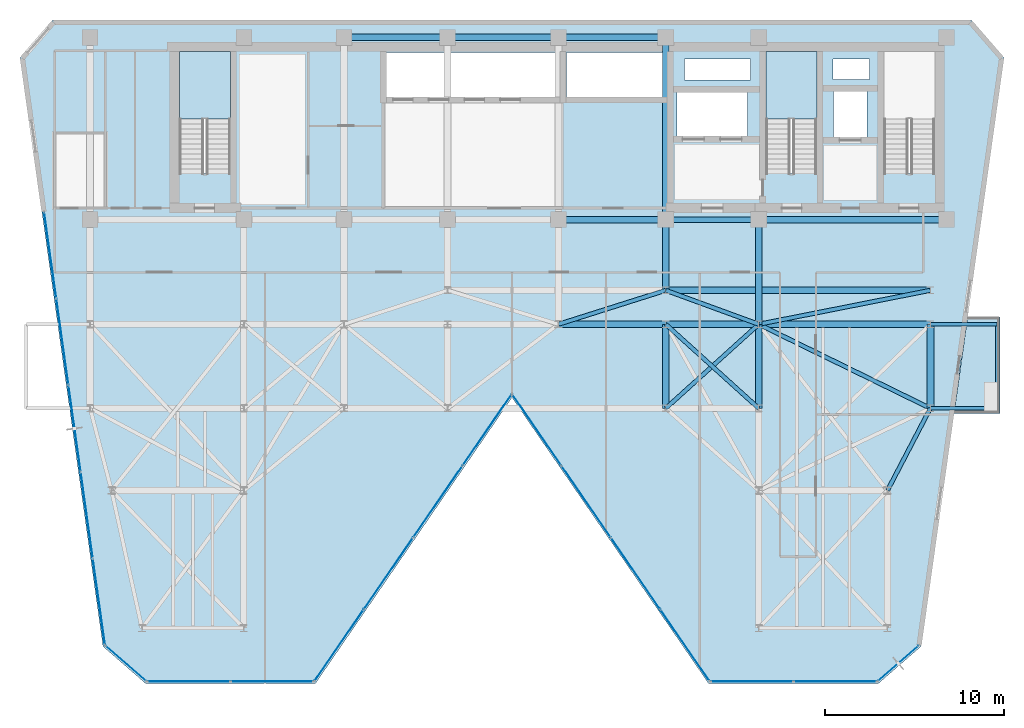
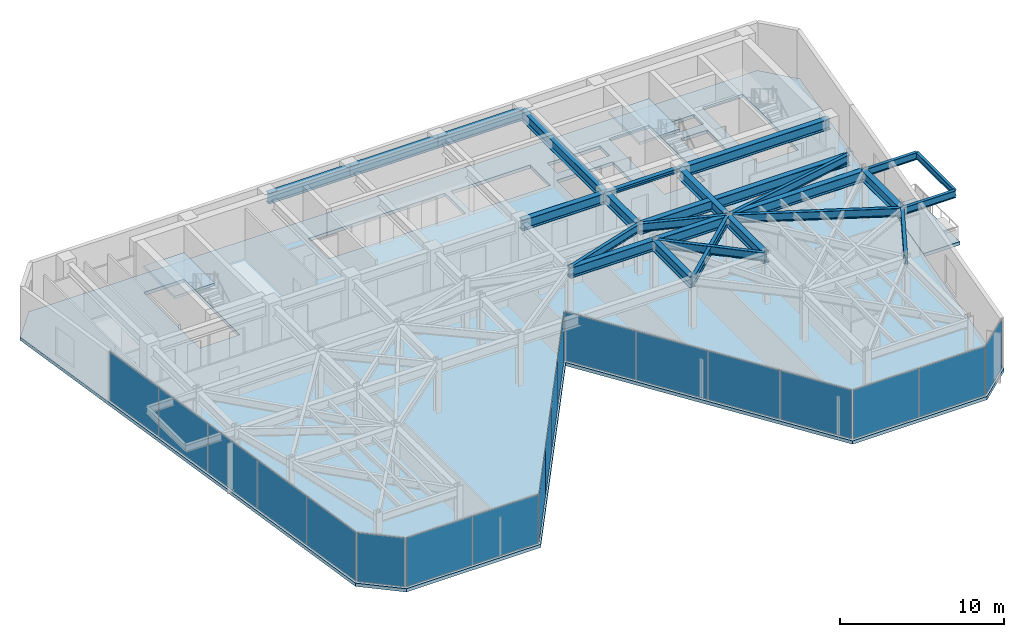
# One storey, part 21 of 27: 26 beams, 19 plates, 4 slabs, 9 elements without a shape of their own.
"""IFC4 building model written with IfcOpenShell, lengths in metres."""

from ifc_helpers import new_model, si_unit, direction, frame, origin, origin_2d, place, context, subcontext, project, spatial, polyline, rectangle, i_section, outline, extrude, material, layer, layer_set, material_profile, profile_set, type_object, element, aggregate, save


model = new_model("IFC4")

# Units and contexts
model_context = context("Model", 3, precision=1e-05, world=origin(), true_north=direction((0.0, 1.0)))
body_context = subcontext(model_context, "Body", "Model", "MODEL_VIEW")
ifc_project = project(units=[si_unit("LENGTHUNIT", "METRE"), si_unit("AREAUNIT", "SQUARE_METRE"), si_unit("VOLUMEUNIT", "CUBIC_METRE"), si_unit("PLANEANGLEUNIT", "RADIAN"), si_unit("MASSUNIT", "GRAM", prefix="KILO")], contexts=[model_context])

# Site, building, storey
site_placement = place(None, origin())
site = spatial("IfcSite", under=ifc_project, at=site_placement, CompositionType="ELEMENT")
building_placement = place(site_placement, origin())
building = spatial("IfcBuilding", under=site, at=building_placement, Name="Kravanh Interchange Tower", CompositionType="ELEMENT")
storey_placement = place(building_placement, frame((0.0, 0.0, 196.5)))
storey = spatial("IfcBuildingStorey", under=building, at=storey_placement, Name="L47", CompositionType="ELEMENT", Elevation=196.5)

# Beams
ifc_material_1 = material(Name="Structural Steel S355", Category="steel")
ifc_material_profile_1 = material_profile(ifc_material_1, i_section(OverallWidth=0.381103515625, OverallDepth=0.77294921875, WebThickness=0.0166015625, FlangeThickness=0.027099609375, FilletRadius=0.02490234375, at=origin_2d()), Name="W30X173")
ifc_profile_set_1 = profile_set([ifc_material_profile_1], Name="Structural Steel S355")
beam_type_1 = type_object("IfcBeamType", Name="Floor Beam W30X173 Structural Steel S355", PredefinedType="BEAM", material=ifc_profile_set_1)
beam_1_placement = place(storey_placement, frame((66.5, 37.35009765625, 3.368408203125), z_axis=(-1.0, 0.0, 0.0), x_axis=(0.0, -1.0, 0.0)))
element("IfcBeam", 1, at=beam_1_placement, inside=storey, type_object=beam_type_1, Name="L47 Primary Floor Girder 5", PredefinedType="BEAM", context=body_context, shape_type="SweptSolid", body=[
    extrude(i_section(OverallWidth=0.381103515625, OverallDepth=0.77294921875, WebThickness=0.0166015625, FlangeThickness=0.027099609375, FilletRadius=0.02490234375, at=origin_2d()), origin(), (0.0, 0.0, 1.0), 10.5),
])
beam_2_placement = place(storey_placement, frame((56.0, 37.35009765625, 3.368408203125), z_axis=(0.0, -1.0, 0.0), x_axis=(1.0, 0.0, 0.0)))
element("IfcBeam", 2, at=beam_2_placement, inside=storey, type_object=beam_type_1, Name="L47 Primary Floor Girder 7", PredefinedType="BEAM", context=body_context, shape_type="SweptSolid", body=[
    extrude(i_section(OverallWidth=0.381103515625, OverallDepth=0.77294921875, WebThickness=0.0166015625, FlangeThickness=0.027099609375, FilletRadius=0.02490234375, at=origin_2d()), origin(), (0.0, 0.0, 1.0), 5.85009765625),
])
beam_3_placement = place(storey_placement, frame((50.800048828125, 47.550048828125, 3.368408203125), z_axis=(-1.0, 0.0, 0.0), x_axis=(0.0, -1.0, 0.0)))
element("IfcBeam", 3, at=beam_3_placement, inside=storey, type_object=beam_type_1, Name="L47 Primary Floor Girder 8", PredefinedType="BEAM", context=body_context, shape_type="SweptSolid", body=[
    extrude(i_section(OverallWidth=0.381103515625, OverallDepth=0.77294921875, WebThickness=0.0166015625, FlangeThickness=0.027099609375, FilletRadius=0.02490234375, at=origin_2d()), origin(), (0.0, 0.0, 1.0), 6.0),
])
beam_4_placement = place(storey_placement, frame((50.800048828125, 47.550048828125, 3.368408203125), z_axis=(0.0, -1.0, 0.0), x_axis=(1.0, 0.0, 0.0)))
element("IfcBeam", 4, at=beam_4_placement, inside=storey, type_object=beam_type_1, Name="L47 Primary Floor Girder 9", PredefinedType="BEAM", context=body_context, shape_type="SweptSolid", body=[
    extrude(i_section(OverallWidth=0.381103515625, OverallDepth=0.77294921875, WebThickness=0.0166015625, FlangeThickness=0.027099609375, FilletRadius=0.02490234375, at=origin_2d()), origin(), (0.0, 0.0, 1.0), 10.199951171875),
])
beam_5_placement = place(storey_placement, frame((50.800048828125, 37.35009765625, 3.368408203125), z_axis=(0.0, -1.0, 0.0), x_axis=(1.0, 0.0, 0.0)))
element("IfcBeam", 5, at=beam_5_placement, inside=storey, type_object=beam_type_1, Name="L47 Primary Floor Girder 10", PredefinedType="BEAM", context=body_context, shape_type="SweptSolid", body=[
    extrude(i_section(OverallWidth=0.381103515625, OverallDepth=0.77294921875, WebThickness=0.0166015625, FlangeThickness=0.027099609375, FilletRadius=0.02490234375, at=origin_2d()), origin(), (0.0, 0.0, 1.0), 3.9501953125),
])
beam_6_placement = place(storey_placement, frame((50.800048828125, 37.35009765625, 3.368408203125), z_axis=(-1.0, 0.0, 0.0), x_axis=(0.0, -1.0, 0.0)))
element("IfcBeam", 6, at=beam_6_placement, inside=storey, type_object=beam_type_1, Name="L47 Primary Floor Girder 11", PredefinedType="BEAM", context=body_context, shape_type="SweptSolid", body=[
    extrude(i_section(OverallWidth=0.381103515625, OverallDepth=0.77294921875, WebThickness=0.0166015625, FlangeThickness=0.027099609375, FilletRadius=0.02490234375, at=origin_2d()), origin(), (0.0, 0.0, 1.0), 6.0),
])
beam_7_placement = place(storey_placement, frame((44.800048828125, 47.550048828125, 3.368408203125), z_axis=(-1.0, 0.0, 0.0), x_axis=(0.0, -1.0, 0.0)))
element("IfcBeam", 7, at=beam_7_placement, inside=storey, type_object=beam_type_1, Name="L47 Primary Floor Girder 15", PredefinedType="BEAM", context=body_context, shape_type="SweptSolid", body=[
    extrude(i_section(OverallWidth=0.381103515625, OverallDepth=0.77294921875, WebThickness=0.0166015625, FlangeThickness=0.027099609375, FilletRadius=0.02490234375, at=origin_2d()), origin(), (0.0, 0.0, 1.0), 6.199951171875),
])
beam_8_placement = place(storey_placement, frame((38.60009765625, 47.550048828125, 3.368408203125), z_axis=(-1.0, 0.0, 0.0), x_axis=(0.0, -1.0, 0.0)))
element("IfcBeam", 8, at=beam_8_placement, inside=storey, type_object=beam_type_1, Name="L47 Primary Floor Girder 19", PredefinedType="BEAM", context=body_context, shape_type="SweptSolid", body=[
    extrude(i_section(OverallWidth=0.381103515625, OverallDepth=0.77294921875, WebThickness=0.0166015625, FlangeThickness=0.027099609375, FilletRadius=0.02490234375, at=origin_2d()), origin(), (0.0, 0.0, 1.0), 5.800048828125),
])
for number, where, z_axis, x_axis, name in (
    (9, (50.800048828125, 26.800048828125, 3.368408203125), (0.0, 1.0, 0.0), (-1.0, 0.0, 0.0), "L47 Primary Floor Girder 49"),
    (10, (56.0, 26.800048828125, 3.368408203125), (0.0, 1.0, 0.0), (-1.0, 0.0, 0.0), "L47 Primary Floor Girder 54"),
    (11, (65.60009765625, 26.800048828125, 3.368408203125), (0.0, 1.0, 0.0), (-1.0, 0.0, 0.0), "L47 Primary Floor Girder 57"),
):
    element("IfcBeam", number, at=place(storey_placement, frame(where, z_axis=z_axis, x_axis=x_axis)), inside=storey, type_object=beam_type_1, Name=name, PredefinedType="BEAM", context=body_context, shape_type="SweptSolid", body=[
        extrude(i_section(OverallWidth=0.381103515625, OverallDepth=0.77294921875, WebThickness=0.0166015625, FlangeThickness=0.027099609375, FilletRadius=0.02490234375, at=origin_2d()), origin(), (0.0, 0.0, 1.0), 4.699951171875),
    ])
beam_9_placement = place(storey_placement, frame((44.800048828125, 31.5, 3.368408203125), z_axis=(1.0, 0.0, 0.0), x_axis=(0.0, 1.0, 0.0)))
element("IfcBeam", 12, at=beam_9_placement, inside=storey, type_object=beam_type_1, Name="L47 Primary Floor Girder 74", PredefinedType="BEAM", context=body_context, shape_type="SweptSolid", body=[
    extrude(i_section(OverallWidth=0.381103515625, OverallDepth=0.77294921875, WebThickness=0.0166015625, FlangeThickness=0.027099609375, FilletRadius=0.02490234375, at=origin_2d()), origin(), (0.0, 0.0, 1.0), 6.0),
])
beam_10_placement = place(storey_placement, frame((50.800048828125, 31.5, 3.368408203125), z_axis=(1.0, 0.0, 0.0), x_axis=(0.0, 1.0, 0.0)))
element("IfcBeam", 13, at=beam_10_placement, inside=storey, type_object=beam_type_1, Name="L47 Primary Floor Girder 77", PredefinedType="BEAM", context=body_context, shape_type="SweptSolid", body=[
    extrude(i_section(OverallWidth=0.381103515625, OverallDepth=0.77294921875, WebThickness=0.0166015625, FlangeThickness=0.027099609375, FilletRadius=0.02490234375, at=origin_2d()), origin(), (0.0, 0.0, 1.0), 5.199951171875),
])
beam_11_placement = place(storey_placement, frame((56.0, 31.5, 3.368408203125), z_axis=(1.0, 0.0, 0.0), x_axis=(0.0, 1.0, 0.0)))
element("IfcBeam", 14, at=beam_11_placement, inside=storey, type_object=beam_type_1, Name="L47 Primary Floor Girder 81", PredefinedType="BEAM", context=body_context, shape_type="SweptSolid", body=[
    extrude(i_section(OverallWidth=0.381103515625, OverallDepth=0.77294921875, WebThickness=0.0166015625, FlangeThickness=0.027099609375, FilletRadius=0.02490234375, at=origin_2d()), origin(), (0.0, 0.0, 1.0), 9.60009765625),
])
beam_12_placement = place(storey_placement, frame((50.800048828125, 33.39990234375, 3.368408203125), z_axis=(1.0, 0.0, 0.0), x_axis=(0.0, 1.0, 0.0)))
element("IfcBeam", 15, at=beam_12_placement, inside=storey, type_object=beam_type_1, Name="L47 Primary Floor Girder 95", PredefinedType="BEAM", context=body_context, shape_type="SweptSolid", body=[
    extrude(i_section(OverallWidth=0.381103515625, OverallDepth=0.77294921875, WebThickness=0.0166015625, FlangeThickness=0.027099609375, FilletRadius=0.02490234375, at=origin_2d()), origin(), (0.0, 0.0, 1.0), 14.800048828125),
])
ifc_material_2 = material(Name="Structural Steel S355", Category="steel")
ifc_material_profile_2 = material_profile(ifc_material_2, i_section(OverallWidth=0.18994140625, OverallDepth=0.45703125, WebThickness=0.009033203125, FlangeThickness=0.014404296875, FilletRadius=0.01806640625, at=origin_2d()), Name="W18X50")
ifc_profile_set_2 = profile_set([ifc_material_profile_2], Name="Structural Steel S355")
beam_type_2 = type_object("IfcBeamType", Name="Floor Joist W18X50 Structural Steel S355", PredefinedType="JOIST", material=ifc_profile_set_2)
beam_13_placement = place(storey_placement, frame((69.330078125, 26.800048828125, 3.526611328125), z_axis=(0.0, 1.0, 0.0), x_axis=(-1.0, 0.0, 0.0)))
element("IfcBeam", 16, at=beam_13_placement, inside=storey, type_object=beam_type_2, Name="L47 Balcony Edge Tie Beam E", PredefinedType="JOIST", context=body_context, shape_type="SweptSolid", body=[
    extrude(i_section(OverallWidth=0.18994140625, OverallDepth=0.45703125, WebThickness=0.009033203125, FlangeThickness=0.014404296875, FilletRadius=0.01806640625, at=origin_2d()), origin(), (0.0, 0.0, 1.0), 4.699951171875),
])
ifc_material_3 = material(Name="Structural Steel S355", Category="steel")
ifc_material_profile_3 = material_profile(ifc_material_3, i_section(OverallWidth=0.304931640625, OverallDepth=0.306884765625, WebThickness=0.010009765625, FlangeThickness=0.015380859375, FilletRadius=0.014892578125, at=origin_2d()), Name="W12X65")
ifc_profile_set_3 = profile_set([ifc_material_profile_3], Name="Structural Steel S355")
beam_type_3 = type_object("IfcBeamType", Name="Floor Lintel W12X65 Structural Steel S355", PredefinedType="LINTEL", material=ifc_profile_set_3)
beam_14_placement = place(storey_placement, frame((50.800048828125, 37.35009765625, 3.6015625), z_axis=(1.0, 0.0, 0.0), x_axis=(0.0, 1.0, 0.0)))
element("IfcBeam", 17, at=beam_14_placement, inside=storey, type_object=beam_type_3, Name="L47 Core Coupling Lintel 1", PredefinedType="LINTEL", context=body_context, shape_type="SweptSolid", body=[
    extrude(i_section(OverallWidth=0.304931640625, OverallDepth=0.306884765625, WebThickness=0.010009765625, FlangeThickness=0.015380859375, FilletRadius=0.014892578125, at=origin_2d()), origin(), (0.0, 0.0, 1.0), 5.199951171875),
])
ifc_material_4 = material(Name="Structural Steel S355", Category="steel")
ifc_material_profile_4 = material_profile(ifc_material_4, i_section(OverallWidth=0.2099609375, OverallDepth=0.537109375, WebThickness=0.010986328125, FlangeThickness=0.017333984375, FilletRadius=0.02001953125, at=origin_2d()), Name="W21X68")
ifc_profile_set_4 = profile_set([ifc_material_profile_4], Name="Structural Steel S355")
beam_type_4 = type_object("IfcBeamType", Name="Floor Spandrel W21X68 Structural Steel S355", PredefinedType="SPANDREL", material=ifc_profile_set_4)
for number, where, z_axis, x_axis, name in (
    (18, (65.60009765625, 26.800048828125, 3.486572265625), (1.0, 0.0, 0.0), (0.0, 1.0, 0.0), "L47 Balcony Cantilever Outrigger E1"),
    (19, (65.60009765625, 31.5, 3.486572265625), (1.0, 0.0, 0.0), (0.0, 1.0, 0.0), "L47 Balcony Cantilever Outrigger E2"),
):
    element("IfcBeam", number, at=place(storey_placement, frame(where, z_axis=z_axis, x_axis=x_axis)), inside=storey, type_object=beam_type_4, Name=name, PredefinedType="SPANDREL", context=body_context, shape_type="SweptSolid", body=[
        extrude(i_section(OverallWidth=0.2099609375, OverallDepth=0.537109375, WebThickness=0.010986328125, FlangeThickness=0.017333984375, FilletRadius=0.02001953125, at=origin_2d()), origin(), (0.0, 0.0, 1.0), 3.72998046875),
    ])
ifc_material_5 = material(Name="Structural Steel S355", Category="steel")
ifc_material_profile_5 = material_profile(ifc_material_5, i_section(OverallWidth=0.22802734375, OverallDepth=0.60791015625, WebThickness=0.01123046875, FlangeThickness=0.017333984375, FilletRadius=0.02197265625, at=origin_2d()), Name="W24X76")
ifc_profile_set_5 = profile_set([ifc_material_profile_5], Name="Structural Steel S355")
beam_type_5 = type_object("IfcBeamType", Name="Floor Spandrel W24X76 Structural Steel S355", PredefinedType="SPANDREL", material=ifc_profile_set_5)
for number, where, z_axis, x_axis, name in (
    (20, (50.800048828125, 26.800048828125, 3.450927734375), (0.741874009795, 0.670539300557, 0.0), (-0.670539300557, 0.741874009795, 0.0), "L47 Perimeter Spandrel 52"),
    (21, (56.0, 26.800048828125, 3.450927734375), (-0.741874009795, 0.670539300557, 0.0), (-0.670539300557, -0.741874009795, 0.0), "L47 Perimeter Spandrel 55"),
):
    element("IfcBeam", number, at=place(storey_placement, frame(where, z_axis=z_axis, x_axis=x_axis)), inside=storey, type_object=beam_type_5, Name=name, PredefinedType="SPANDREL", context=body_context, shape_type="SweptSolid", body=[
        extrude(i_section(OverallWidth=0.22802734375, OverallDepth=0.60791015625, WebThickness=0.01123046875, FlangeThickness=0.017333984375, FilletRadius=0.02197265625, at=origin_2d()), origin(), (0.0, 0.0, 1.0), 7.00927734375),
    ])
beam_15_placement = place(storey_placement, frame((65.60009765625, 26.800048828125, 3.450927734375), z_axis=(-0.462580479178, -0.886577295155, 0.0), x_axis=(0.886577295155, -0.462580479178, 0.0)))
element("IfcBeam", 22, at=beam_15_placement, inside=storey, type_object=beam_type_5, Name="L47 Perimeter Spandrel 58", PredefinedType="SPANDREL", context=body_context, shape_type="SweptSolid", body=[
    extrude(i_section(OverallWidth=0.22802734375, OverallDepth=0.60791015625, WebThickness=0.01123046875, FlangeThickness=0.017333984375, FilletRadius=0.02197265625, at=origin_2d()), origin(), (0.0, 0.0, 1.0), 5.188720703125),
])
beam_16_placement = place(storey_placement, frame((65.60009765625, 26.800048828125, 3.450927734375), z_axis=(-0.898141688387, 0.439706160499, 0.0), x_axis=(-0.439706160499, -0.898141688387, 0.0)))
element("IfcBeam", 23, at=beam_16_placement, inside=storey, type_object=beam_type_5, Name="L47 Perimeter Spandrel 60", PredefinedType="SPANDREL", context=body_context, shape_type="SweptSolid", body=[
    extrude(i_section(OverallWidth=0.22802734375, OverallDepth=0.60791015625, WebThickness=0.01123046875, FlangeThickness=0.017333984375, FilletRadius=0.02197265625, at=origin_2d()), origin(), (0.0, 0.0, 1.0), 10.68896484375),
])
beam_17_placement = place(storey_placement, frame((44.800048828125, 31.5, 3.450927734375), z_axis=(0.953346691051, 0.301877602122, 0.0), x_axis=(-0.301877602122, 0.953346691051, 0.0)))
element("IfcBeam", 24, at=beam_17_placement, inside=storey, type_object=beam_type_5, Name="L47 Perimeter Spandrel 75", PredefinedType="SPANDREL", context=body_context, shape_type="SweptSolid", body=[
    extrude(i_section(OverallWidth=0.22802734375, OverallDepth=0.60791015625, WebThickness=0.01123046875, FlangeThickness=0.017333984375, FilletRadius=0.02197265625, at=origin_2d()), origin(), (0.0, 0.0, 1.0), 6.293701171875),
])
beam_18_placement = place(storey_placement, frame((56.0, 31.5, 3.450927734375), z_axis=(-0.93926957103, 0.343180233896, 0.0), x_axis=(-0.343180233896, -0.93926957103, 0.0)))
element("IfcBeam", 25, at=beam_18_placement, inside=storey, type_object=beam_type_5, Name="L47 Perimeter Spandrel 80", PredefinedType="SPANDREL", context=body_context, shape_type="SweptSolid", body=[
    extrude(i_section(OverallWidth=0.22802734375, OverallDepth=0.60791015625, WebThickness=0.01123046875, FlangeThickness=0.017333984375, FilletRadius=0.02197265625, at=origin_2d()), origin(), (0.0, 0.0, 1.0), 5.5361328125),
])
beam_19_placement = place(storey_placement, frame((56.0, 31.5, 3.450927734375), z_axis=(0.980974000807, 0.194139150457, 0.0), x_axis=(-0.194139150457, 0.980974000807, 0.0)))
element("IfcBeam", 26, at=beam_19_placement, inside=storey, type_object=beam_type_5, Name="L47 Perimeter Spandrel 82", PredefinedType="SPANDREL", context=body_context, shape_type="SweptSolid", body=[
    extrude(i_section(OverallWidth=0.22802734375, OverallDepth=0.60791015625, WebThickness=0.01123046875, FlangeThickness=0.017333984375, FilletRadius=0.02197265625, at=origin_2d()), origin(), (0.0, 0.0, 1.0), 9.786376953125),
])

# Slab
ifc_material_6 = material(Name="Concrete C50/60", Category="concrete")
ifc_layer_1 = layer(ifc_material_6, 0.2451171875)
ifc_layer_set_1 = layer_set([ifc_layer_1], Name="Composite Floor Slab Concrete C50/60 245mm")
slab_type_1 = type_object("IfcSlabType", Name="Composite Floor Slab Concrete C50/60 245mm", PredefinedType="FLOOR", material=ifc_layer_set_1)
slab_1_placement = place(storey_placement, frame((0.0, 0.0, -0.2451171875)))
element("IfcSlab", 27, at=slab_1_placement, inside=storey, type_object=slab_type_1, Name="L47 Structural Floor Slab", PredefinedType="FLOOR", context=body_context, shape_type="SweptSolid", body=[
    extrude(outline(polyline([(19.32177734375, 13.4794921875), (21.714111328125, 11.39990234375), (31.199951171875, 11.39990234375), (42.199951171875, 27.39990234375), (53.199951171875, 11.39990234375), (62.685791015625, 11.39990234375), (65.078125, 13.4794921875), (69.707763671875, 46.42041015625), (67.89990234375, 48.5), (16.5, 48.5), (14.6923828125, 46.42041015625), (19.32177734375, 13.4794921875)]), holes=[polyline([(65.85009765625, 39.925048828125), (65.85009765625, 46.75), (63.0, 46.75), (63.0, 39.925048828125), (65.85009765625, 39.925048828125)]), polyline([(59.25, 39.925048828125), (59.25, 46.75), (56.39990234375, 46.75), (56.39990234375, 39.925048828125), (59.25, 39.925048828125)]), polyline([(26.449951171875, 39.925048828125), (26.449951171875, 46.75), (23.60009765625, 46.75), (23.60009765625, 39.925048828125), (26.449951171875, 39.925048828125)]), polyline([(35.179931640625, 44.219970703125), (44.840087890625, 44.219970703125), (44.840087890625, 46.699951171875), (35.179931640625, 46.699951171875), (35.179931640625, 44.219970703125)]), polyline([(45.239990234375, 44.219970703125), (50.840087890625, 44.219970703125), (50.840087890625, 46.699951171875), (45.239990234375, 46.699951171875), (45.239990234375, 44.219970703125)]), polyline([(51.419921875, 42.02001953125), (55.3798828125, 42.02001953125), (55.3798828125, 44.47998046875), (51.419921875, 44.47998046875), (51.419921875, 42.02001953125)]), polyline([(60.179931640625, 41.97998046875), (62.06005859375, 41.97998046875), (62.06005859375, 44.52001953125), (60.179931640625, 44.52001953125), (60.179931640625, 41.97998046875)]), polyline([(60.14990234375, 45.199951171875), (62.199951171875, 45.199951171875), (62.199951171875, 46.35009765625), (60.14990234375, 46.35009765625), (60.14990234375, 45.199951171875)]), polyline([(51.85009765625, 45.14990234375), (55.550048828125, 45.14990234375), (55.550048828125, 46.35009765625), (51.85009765625, 46.35009765625), (51.85009765625, 45.14990234375)])]), origin(), (0.0, 0.0, 1.0), 0.2451171875),
])

# Stair, slab
ifc_material_7 = material(Name="Concrete C50/60", Category="concrete")
stair_type = type_object("IfcStairType", Name="Core Fire Exit Dogleg Stair Concrete C50/60", PredefinedType="HALF_TURN_STAIR", material=ifc_material_7)
stair_1_placement = place(storey_placement, origin())
stair_1 = element("IfcStair", 28, at=stair_1_placement, inside=storey, type_object=stair_type, Name="L47 Exit Stair ST2", PredefinedType="HALF_TURN_STAIR")
ifc_material_8 = material(Name="Concrete C50/60", Category="concrete")
ifc_layer_2 = layer(ifc_material_8, 0.199951171875)
ifc_layer_set_2 = layer_set([ifc_layer_2], Name="Concrete C50/60 Stair Half-Landing Slab 200mm")
slab_type_2 = type_object("IfcSlabType", Name="Concrete C50/60 Stair Half-Landing Slab 200mm", PredefinedType="LANDING", material=ifc_layer_set_2)
slab_2_placement = place(storey_placement, frame((0.0, 0.0, 1.800048828125)))
slab_2 = element("IfcSlab", 29, at=slab_2_placement, type_object=slab_type_2, Name="ST2 landing 1", PredefinedType="LANDING", context=body_context, shape_type="SweptSolid", body=[
    extrude(outline(polyline([(59.25, 42.97998046875), (59.25, 46.75), (56.39990234375, 46.75), (56.39990234375, 42.97998046875), (59.25, 42.97998046875)])), origin(), (0.0, 0.0, 1.0), 0.199951171875),
])
aggregate(stair_1, [slab_2])

stair_2_placement = place(storey_placement, origin())
stair_2 = element("IfcStair", 30, at=stair_2_placement, inside=storey, type_object=stair_type, Name="L47 Exit Stair ST3", PredefinedType="HALF_TURN_STAIR")
slab_3_placement = place(storey_placement, frame((0.0, 0.0, 1.800048828125)))
slab_3 = element("IfcSlab", 31, at=slab_3_placement, type_object=slab_type_2, Name="ST3 landing 1", PredefinedType="LANDING", context=body_context, shape_type="SweptSolid", body=[
    extrude(outline(polyline([(26.449951171875, 42.97998046875), (26.449951171875, 46.75), (23.60009765625, 46.75), (23.60009765625, 42.97998046875), (26.449951171875, 42.97998046875)])), origin(), (0.0, 0.0, 1.0), 0.199951171875),
])
aggregate(stair_2, [slab_3])

# Curtain wall, plates
ifc_material_9 = material(Name="Anodised Bronze Aluminium", Category="aluminium")
ifc_layer_3 = layer(ifc_material_9, 0.179931640625)
ifc_layer_set_3 = layer_set([ifc_layer_3], Name="Unitised Curtain Wall System CW-Z3 Upper Office")
curtain_wall_type = type_object("IfcCurtainWallType", Name="Unitised Curtain Wall System CW-Z3 Upper Office", PredefinedType="NOTDEFINED", material=ifc_layer_set_3)
curtain_wall_1_placement = place(storey_placement, origin())
curtain_wall_1 = element("IfcCurtainWall", 32, at=curtain_wall_1_placement, inside=storey, type_object=curtain_wall_type, Name="L47 Unitised Curtain Wall CW-L47-01", PredefinedType="NOTDEFINED")
ifc_material_10 = material(Name="Low-E Laminated Architectural Glass", Category="glass")
ifc_layer_4 = layer(ifc_material_10, 0.02392578125)
ifc_layer_set_4 = layer_set([ifc_layer_4], Name="High-Selectivity Double Glazing 24mm")
plate_type = type_object("IfcPlateType", Name="High-Selectivity Double Glazing 24mm", PredefinedType="CURTAIN_PANEL", material=ifc_layer_set_4)
plate_1_placement = place(storey_placement, frame((19.09130859375, 15.9814453125, 0.06005859375), z_axis=(0.0, 0.0, 1.0), x_axis=(-0.139172209446, 0.990268194035, 0.0)))
plate_1 = element("IfcPlate", 33, at=plate_1_placement, type_object=plate_type, Name="CW-Z3 panel 1.1", PredefinedType="CURTAIN_PANEL", context=body_context, shape_type="SweptSolid", body=[
    extrude(rectangle(XDim=4.8095703125, YDim=0.02392578125, at=origin_2d()), origin(), (0.0, 0.0, 1.0), 3.635009765625),
])
plate_2_placement = place(storey_placement, frame((18.41162109375, 20.818603515625, 0.06005859375), z_axis=(0.0, 0.0, 1.0), x_axis=(-0.139172209446, 0.990268194035, 0.0)))
plate_2 = element("IfcPlate", 34, at=plate_2_placement, type_object=plate_type, Name="CW-Z3 panel 2.1", PredefinedType="CURTAIN_PANEL", context=body_context, shape_type="SweptSolid", body=[
    extrude(rectangle(XDim=4.839599609375, YDim=0.02392578125, at=origin_2d()), origin(), (0.0, 0.0, 1.0), 3.635009765625),
])
plate_3_placement = place(storey_placement, frame((17.729736328125, 25.67041015625, 0.06005859375), z_axis=(0.0, 0.0, 1.0), x_axis=(-0.139172209446, 0.990268194035, 0.0)))
plate_3 = element("IfcPlate", 35, at=plate_3_placement, type_object=plate_type, Name="CW-Z3 panel 3.1", PredefinedType="CURTAIN_PANEL", context=body_context, shape_type="SweptSolid", body=[
    extrude(rectangle(XDim=4.839599609375, YDim=0.02392578125, at=origin_2d()), origin(), (0.0, 0.0, 1.0), 3.635009765625),
])
plate_4_placement = place(storey_placement, frame((17.0478515625, 30.522216796875, 0.06005859375), z_axis=(0.0, 0.0, 1.0), x_axis=(-0.139172209446, 0.990268194035, 0.0)))
plate_4 = element("IfcPlate", 36, at=plate_4_placement, type_object=plate_type, Name="CW-Z3 panel 4.1", PredefinedType="CURTAIN_PANEL", context=body_context, shape_type="SweptSolid", body=[
    extrude(rectangle(XDim=4.839599609375, YDim=0.02392578125, at=origin_2d()), origin(), (0.0, 0.0, 1.0), 3.635009765625),
])
plate_5_placement = place(storey_placement, frame((16.367919921875, 35.359130859375, 0.06005859375), z_axis=(0.0, 0.0, 1.0), x_axis=(-0.139172209446, 0.990268194035, 0.0)))
plate_5 = element("IfcPlate", 37, at=plate_5_placement, type_object=plate_type, Name="CW-Z3 panel 5.1", PredefinedType="CURTAIN_PANEL", context=body_context, shape_type="SweptSolid", body=[
    extrude(rectangle(XDim=4.8095703125, YDim=0.02392578125, at=origin_2d()), origin(), (0.0, 0.0, 1.0), 3.635009765625),
])
aggregate(curtain_wall_1, [plate_1, plate_2, plate_3, plate_4, plate_5])

# Curtain wall, plate
curtain_wall_2_placement = place(storey_placement, origin())
curtain_wall_2 = element("IfcCurtainWall", 38, at=curtain_wall_2_placement, inside=storey, type_object=curtain_wall_type, Name="L47 Unitised Curtain Wall CW-L47-02", PredefinedType="NOTDEFINED")
plate_6_placement = place(storey_placement, frame((63.80322265625, 12.5302734375, 0.06005859375), z_axis=(0.0, 0.0, 1.0), x_axis=(-0.754716645379, -0.65605090137, 0.0)))
plate_6 = element("IfcPlate", 39, at=plate_6_placement, type_object=plate_type, Name="CW-Z3 panel 1.1", PredefinedType="CURTAIN_PANEL", context=body_context, shape_type="SweptSolid", body=[
    extrude(rectangle(XDim=2.960205078125, YDim=0.02392578125, at=origin_2d()), origin(), (0.0, 0.0, 1.0), 3.635009765625),
])
aggregate(curtain_wall_2, [plate_6])

# Curtain wall, plates
curtain_wall_3_placement = place(storey_placement, origin())
curtain_wall_3 = element("IfcCurtainWall", 40, at=curtain_wall_3_placement, inside=storey, type_object=curtain_wall_type, Name="L47 Unitised Curtain Wall CW-L47-03", PredefinedType="NOTDEFINED")
plate_7_placement = place(storey_placement, frame((60.281494140625, 11.52001953125, 0.06005859375), z_axis=(0.0, 0.0, 1.0), x_axis=(-1.0, 0.0, 0.0)))
plate_7 = element("IfcPlate", 41, at=plate_7_placement, type_object=plate_type, Name="CW-Z3 panel 1.1", PredefinedType="CURTAIN_PANEL", context=body_context, shape_type="SweptSolid", body=[
    extrude(rectangle(XDim=4.598876953125, YDim=0.02392578125, at=origin_2d()), origin(), (0.0, 0.0, 1.0), 3.635009765625),
])
plate_8_placement = place(storey_placement, frame((55.62255859375, 11.52001953125, 0.06005859375), z_axis=(0.0, 0.0, 1.0), x_axis=(-1.0, 0.0, 0.0)))
plate_8 = element("IfcPlate", 42, at=plate_8_placement, type_object=plate_type, Name="CW-Z3 panel 2.1", PredefinedType="CURTAIN_PANEL", context=body_context, shape_type="SweptSolid", body=[
    extrude(rectangle(XDim=4.598876953125, YDim=0.02392578125, at=origin_2d()), origin(), (0.0, 0.0, 1.0), 3.635009765625),
])
aggregate(curtain_wall_3, [plate_7, plate_8])

curtain_wall_4_placement = place(storey_placement, origin())
curtain_wall_4 = element("IfcCurtainWall", 43, at=curtain_wall_4_placement, inside=storey, type_object=curtain_wall_type, Name="L47 Unitised Curtain Wall CW-L47-04", PredefinedType="NOTDEFINED")
plate_9_placement = place(storey_placement, frame((51.871826171875, 13.5439453125, 0.06005859375), z_axis=(0.0, 0.0, 1.0), x_axis=(-0.566528388217, 0.824042223035, 0.0)))
plate_9 = element("IfcPlate", 44, at=plate_9_placement, type_object=plate_type, Name="CW-Z3 panel 1.1", PredefinedType="CURTAIN_PANEL", context=body_context, shape_type="SweptSolid", body=[
    extrude(rectangle(XDim=4.7919921875, YDim=0.02392578125, at=origin_2d()), origin(), (0.0, 0.0, 1.0), 3.635009765625),
])
plate_10_placement = place(storey_placement, frame((49.114501953125, 17.554443359375, 0.06005859375), z_axis=(0.0, 0.0, 1.0), x_axis=(-0.566528388217, 0.824042223035, 0.0)))
plate_10 = element("IfcPlate", 45, at=plate_10_placement, type_object=plate_type, Name="CW-Z3 panel 2.1", PredefinedType="CURTAIN_PANEL", context=body_context, shape_type="SweptSolid", body=[
    extrude(rectangle(XDim=4.822021484375, YDim=0.02392578125, at=origin_2d()), origin(), (0.0, 0.0, 1.0), 3.635009765625),
])
plate_11_placement = place(storey_placement, frame((46.3486328125, 21.577392578125, 0.06005859375), z_axis=(0.0, 0.0, 1.0), x_axis=(-0.566528388217, 0.824042223035, 0.0)))
plate_11 = element("IfcPlate", 46, at=plate_11_placement, type_object=plate_type, Name="CW-Z3 panel 3.1", PredefinedType="CURTAIN_PANEL", context=body_context, shape_type="SweptSolid", body=[
    extrude(rectangle(XDim=4.822021484375, YDim=0.02392578125, at=origin_2d()), origin(), (0.0, 0.0, 1.0), 3.635009765625),
])
plate_12_placement = place(storey_placement, frame((43.59130859375, 25.587890625, 0.06005859375), z_axis=(0.0, 0.0, 1.0), x_axis=(-0.566528388217, 0.824042223035, 0.0)))
plate_12 = element("IfcPlate", 47, at=plate_12_placement, type_object=plate_type, Name="CW-Z3 panel 4.1", PredefinedType="CURTAIN_PANEL", context=body_context, shape_type="SweptSolid", body=[
    extrude(rectangle(XDim=4.7919921875, YDim=0.02392578125, at=origin_2d()), origin(), (0.0, 0.0, 1.0), 3.635009765625),
])
aggregate(curtain_wall_4, [plate_9, plate_10, plate_11, plate_12])

curtain_wall_5_placement = place(storey_placement, origin())
curtain_wall_5 = element("IfcCurtainWall", 48, at=curtain_wall_5_placement, inside=storey, type_object=curtain_wall_type, Name="L47 Unitised Curtain Wall CW-L47-05", PredefinedType="NOTDEFINED")
plate_13_placement = place(storey_placement, frame((40.80859375, 25.587890625, 0.06005859375), z_axis=(0.0, 0.0, 1.0), x_axis=(-0.566528388217, -0.824042223035, 0.0)))
plate_13 = element("IfcPlate", 49, at=plate_13_placement, type_object=plate_type, Name="CW-Z3 panel 1.1", PredefinedType="CURTAIN_PANEL", context=body_context, shape_type="SweptSolid", body=[
    extrude(rectangle(XDim=4.7919921875, YDim=0.02392578125, at=origin_2d()), origin(), (0.0, 0.0, 1.0), 3.635009765625),
])
plate_14_placement = place(storey_placement, frame((38.05126953125, 21.577392578125, 0.06005859375), z_axis=(0.0, 0.0, 1.0), x_axis=(-0.566528388217, -0.824042223035, 0.0)))
plate_14 = element("IfcPlate", 50, at=plate_14_placement, type_object=plate_type, Name="CW-Z3 panel 2.1", PredefinedType="CURTAIN_PANEL", context=body_context, shape_type="SweptSolid", body=[
    extrude(rectangle(XDim=4.822021484375, YDim=0.02392578125, at=origin_2d()), origin(), (0.0, 0.0, 1.0), 3.635009765625),
])
plate_15_placement = place(storey_placement, frame((35.28564453125, 17.554443359375, 0.06005859375), z_axis=(0.0, 0.0, 1.0), x_axis=(-0.566528388217, -0.824042223035, 0.0)))
plate_15 = element("IfcPlate", 51, at=plate_15_placement, type_object=plate_type, Name="CW-Z3 panel 3.1", PredefinedType="CURTAIN_PANEL", context=body_context, shape_type="SweptSolid", body=[
    extrude(rectangle(XDim=4.822021484375, YDim=0.02392578125, at=origin_2d()), origin(), (0.0, 0.0, 1.0), 3.635009765625),
])
plate_16_placement = place(storey_placement, frame((32.5283203125, 13.5439453125, 0.06005859375), z_axis=(0.0, 0.0, 1.0), x_axis=(-0.566528388217, -0.824042223035, 0.0)))
plate_16 = element("IfcPlate", 52, at=plate_16_placement, type_object=plate_type, Name="CW-Z3 panel 4.1", PredefinedType="CURTAIN_PANEL", context=body_context, shape_type="SweptSolid", body=[
    extrude(rectangle(XDim=4.7919921875, YDim=0.02392578125, at=origin_2d()), origin(), (0.0, 0.0, 1.0), 3.635009765625),
])
aggregate(curtain_wall_5, [plate_13, plate_14, plate_15, plate_16])

curtain_wall_6_placement = place(storey_placement, origin())
curtain_wall_6 = element("IfcCurtainWall", 53, at=curtain_wall_6_placement, inside=storey, type_object=curtain_wall_type, Name="L47 Unitised Curtain Wall CW-L47-06", PredefinedType="NOTDEFINED")
plate_17_placement = place(storey_placement, frame((28.77734375, 11.52001953125, 0.06005859375), z_axis=(0.0, 0.0, 1.0), x_axis=(-1.0, 0.0, 0.0)))
plate_17 = element("IfcPlate", 54, at=plate_17_placement, type_object=plate_type, Name="CW-Z3 panel 1.1", PredefinedType="CURTAIN_PANEL", context=body_context, shape_type="SweptSolid", body=[
    extrude(rectangle(XDim=4.598876953125, YDim=0.02392578125, at=origin_2d()), origin(), (0.0, 0.0, 1.0), 3.635009765625),
])
plate_18_placement = place(storey_placement, frame((24.118408203125, 11.52001953125, 0.06005859375), z_axis=(0.0, 0.0, 1.0), x_axis=(-1.0, 0.0, 0.0)))
plate_18 = element("IfcPlate", 55, at=plate_18_placement, type_object=plate_type, Name="CW-Z3 panel 2.1", PredefinedType="CURTAIN_PANEL", context=body_context, shape_type="SweptSolid", body=[
    extrude(rectangle(XDim=4.598876953125, YDim=0.02392578125, at=origin_2d()), origin(), (0.0, 0.0, 1.0), 3.635009765625),
])
aggregate(curtain_wall_6, [plate_17, plate_18])

# Curtain wall, plate
curtain_wall_7_placement = place(storey_placement, origin())
curtain_wall_7 = element("IfcCurtainWall", 56, at=curtain_wall_7_placement, inside=storey, type_object=curtain_wall_type, Name="L47 Unitised Curtain Wall CW-L47-07", PredefinedType="NOTDEFINED")
plate_19_placement = place(storey_placement, frame((20.5966796875, 12.5302734375, 0.06005859375), z_axis=(0.0, 0.0, 1.0), x_axis=(-0.754716645379, 0.65605090137, 0.0)))
plate_19 = element("IfcPlate", 57, at=plate_19_placement, type_object=plate_type, Name="CW-Z3 panel 1.1", PredefinedType="CURTAIN_PANEL", context=body_context, shape_type="SweptSolid", body=[
    extrude(rectangle(XDim=2.960205078125, YDim=0.02392578125, at=origin_2d()), origin(), (0.0, 0.0, 1.0), 3.635009765625),
])
aggregate(curtain_wall_7, [plate_19])

# Slab
ifc_material_11 = material(Name="Concrete C50/60", Category="concrete")
ifc_layer_5 = layer(ifc_material_11, 0.199951171875)
ifc_layer_set_5 = layer_set([ifc_layer_5], Name="Planted Tree Balcony Slab Concrete C50/60 200mm")
slab_type_3 = type_object("IfcSlabType", Name="Planted Tree Balcony Slab Concrete C50/60 200mm", PredefinedType="USERDEFINED", material=ifc_layer_set_5)
slab_4_placement = place(storey_placement, frame((0.0, 0.0, -0.2451171875)))
element("IfcSlab", 58, at=slab_4_placement, inside=storey, type_object=slab_type_3, Name="L47 East Tree Planter Balcony Slab", ObjectType="BALCONY", PredefinedType="USERDEFINED", context=body_context, shape_type="SweptSolid", body=[
    extrude(outline(polyline([(69.489990234375, 31.909912109375), (69.489990234375, 26.510009765625), (66.924560546875, 26.510009765625), (67.68359375, 31.909912109375), (69.489990234375, 31.909912109375)])), origin(), (0.0, 0.0, 1.0), 0.2451171875),
])

save(model, "model.ifc")
